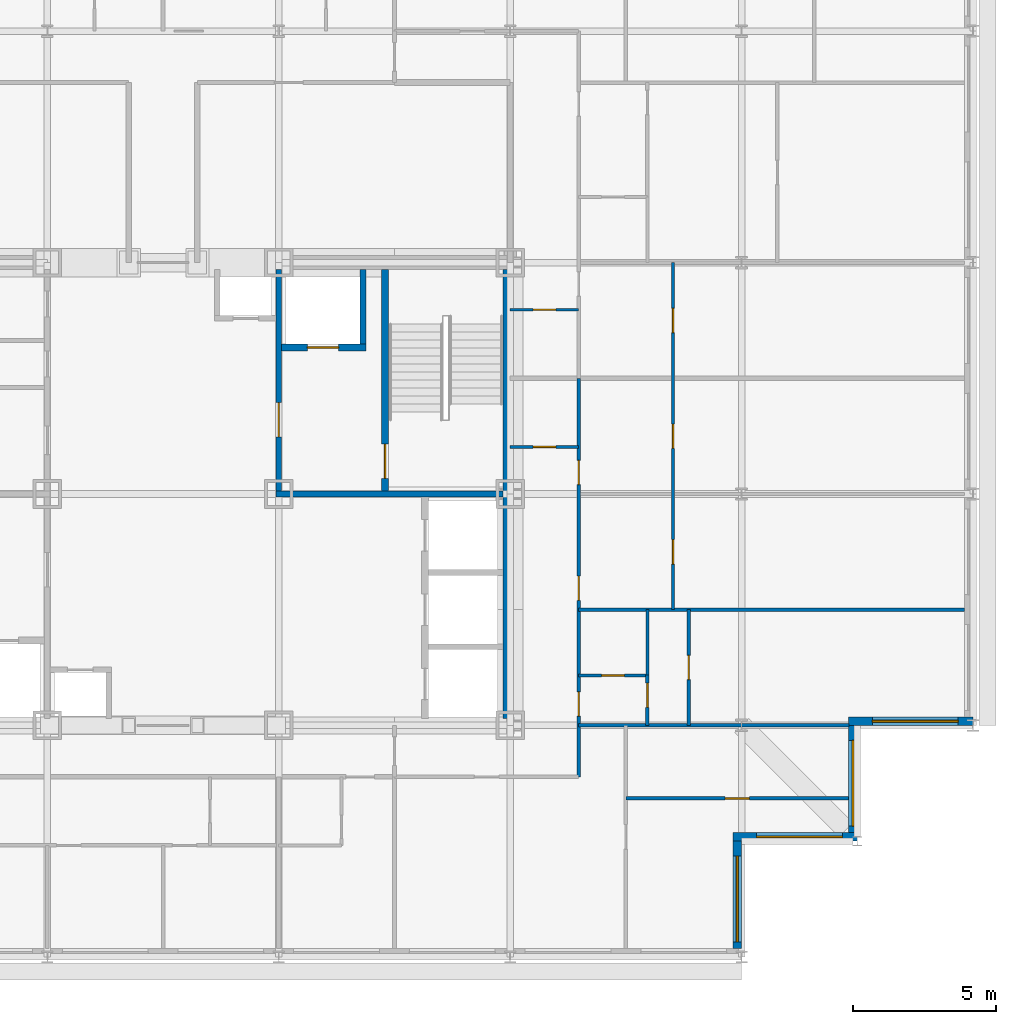
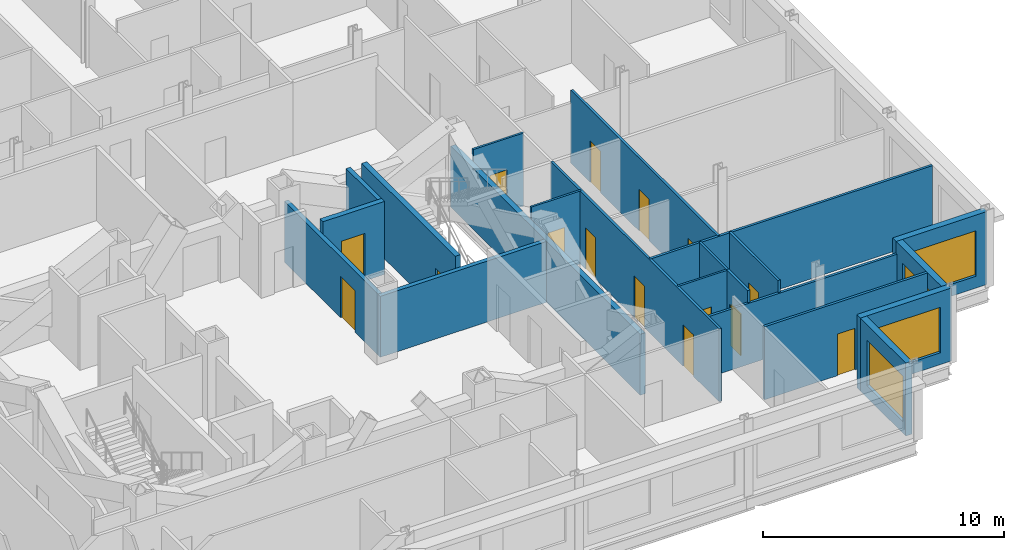
# One storey, part 10 of 15: 21 walls, 15 doors, 4 windows, 19 openings.
"""IFC4 building model written with IfcOpenShell, lengths in metres."""

from ifc_helpers import new_model, si_unit, direction, frame, frame_2d, origin, place, context, subcontext, project, spatial, rectangle, extrude, material, layer, layer_set, type_object, element, fill, save


model = new_model("IFC4")

# Units and contexts
model_context = context("Model", 3, precision=1e-05, world=origin(), true_north=direction((0.0, 1.0)))
body_context = subcontext(model_context, "Body", "Model", "MODEL_VIEW")
ifc_project = project(units=[si_unit("LENGTHUNIT", "METRE"), si_unit("AREAUNIT", "SQUARE_METRE"), si_unit("VOLUMEUNIT", "CUBIC_METRE"), si_unit("PLANEANGLEUNIT", "RADIAN"), si_unit("MASSUNIT", "GRAM", prefix="KILO")], contexts=[model_context])

# Site, building, storey
site_placement = place(None, origin())
site = spatial("IfcSite", under=ifc_project, at=site_placement, CompositionType="ELEMENT")
building_placement = place(site_placement, origin())
building = spatial("IfcBuilding", under=site, at=building_placement, Name="Kopane Lantern Tower", CompositionType="ELEMENT")
storey_placement = place(building_placement, frame((0.0, 0.0, 285.300048828125)))
storey = spatial("IfcBuildingStorey", under=building, at=storey_placement, Name="L73", CompositionType="ELEMENT", Elevation=285.300048828125)

# Wall, openings, doors
ifc_material_1 = material(Name="Gypsum board on steel studs", Category="steel")
ifc_layer_1 = layer(ifc_material_1, 0.1201171875)
ifc_layer_set_1 = layer_set([ifc_layer_1], Name="APARTMENT INTERNAL WALL 120")
wall_type_1 = type_object("IfcWallType", Name="APARTMENT INTERNAL WALL 120", PredefinedType="PARTITIONING", material=ifc_layer_set_1)
wall_1_placement = place(storey_placement, frame((42.89990234375, 22.5, 0.0), z_axis=(0.0, 0.0, 1.0), x_axis=(0.0, 1.0, 0.0)))
wall_1 = element("IfcWall", 1, at=wall_1_placement, inside=storey, type_object=wall_type_1, Name="Apartment Internal Wall 120 L73", PredefinedType="PARTITIONING", context=body_context, shape_type="SweptSolid", body=[
    extrude(rectangle(XDim=13.949951171875, YDim=0.1201171875, at=frame_2d((6.97509765625, 0.0))), origin(), (0.0, 0.0, 1.0), 3.68994140625),
])
opening_1_placement = place(wall_1_placement, frame((2.125, 0.0, 0.0)))
opening_1 = element("IfcOpeningElement", 2, at=opening_1_placement, cuts=wall_1, Name="Opening L73-042", PredefinedType="OPENING", context=body_context, shape_type="SweptSolid", body=[
    extrude(rectangle(XDim=0.85009765625, YDim=2.10009765625, at=frame_2d((0.425048828125, 1.050048828125))), frame((0.0, 0.070068359375, 0.0), z_axis=(0.0, -1.0, 0.0), x_axis=(1.0, 0.0, 0.0)), (0.0, 0.0, 1.0), 0.14013671875),
])
opening_2_placement = place(wall_1_placement, frame((6.175048828125, 0.0, 0.0)))
opening_2 = element("IfcOpeningElement", 3, at=opening_2_placement, cuts=wall_1, Name="Opening L73-043", PredefinedType="OPENING", context=body_context, shape_type="SweptSolid", body=[
    extrude(rectangle(XDim=0.85009765625, YDim=2.10009765625, at=frame_2d((0.425048828125, 1.050048828125))), frame((0.0, 0.070068359375, 0.0), z_axis=(0.0, -1.0, 0.0), x_axis=(1.0, 0.0, 0.0)), (0.0, 0.0, 1.0), 0.14013671875),
])
opening_3_placement = place(wall_1_placement, frame((10.22509765625, 0.0, 0.0)))
opening_3 = element("IfcOpeningElement", 4, at=opening_3_placement, cuts=wall_1, Name="Opening L73-044", PredefinedType="OPENING", context=body_context, shape_type="SweptSolid", body=[
    extrude(rectangle(XDim=0.85009765625, YDim=2.10009765625, at=frame_2d((0.425048828125, 1.050048828125))), frame((0.0, 0.070068359375, 0.0), z_axis=(0.0, -1.0, 0.0), x_axis=(1.0, 0.0, 0.0)), (0.0, 0.0, 1.0), 0.14013671875),
])
ifc_material_2 = material(Name="Timber door set", Category="wood")
door_type_1 = type_object("IfcDoorType", Name="DOOR D4 850x2100", OperationType="SINGLE_SWING_LEFT", PredefinedType="DOOR", material=ifc_material_2)
door_1_placement = place(opening_1_placement, origin())
door_1 = element("IfcDoor", 5, at=door_1_placement, inside=storey, type_object=door_type_1, Name="Door L73-042", OperationType="SINGLE_SWING_RIGHT", OverallHeight=2.10009765625, OverallWidth=0.85009765625, PredefinedType="DOOR", context=body_context, shape_type="SweptSolid", body=[
    extrude(rectangle(XDim=0.85009765625, YDim=2.10009765625, at=frame_2d((0.425048828125, 1.050048828125))), frame((0.0, 0.02490234375, 0.0), z_axis=(0.0, -1.0, 0.0), x_axis=(1.0, 0.0, 0.0)), (0.0, 0.0, 1.0), 0.050048828125),
])
fill(opening_1, door_1)
door_2_placement = place(opening_2_placement, origin())
door_2 = element("IfcDoor", 6, at=door_2_placement, inside=storey, type_object=door_type_1, Name="Door L73-043", OperationType="SINGLE_SWING_RIGHT", OverallHeight=2.10009765625, OverallWidth=0.85009765625, PredefinedType="DOOR", context=body_context, shape_type="SweptSolid", body=[
    extrude(rectangle(XDim=0.85009765625, YDim=2.10009765625, at=frame_2d((0.425048828125, 1.050048828125))), frame((0.0, 0.02490234375, 0.0), z_axis=(0.0, -1.0, 0.0), x_axis=(1.0, 0.0, 0.0)), (0.0, 0.0, 1.0), 0.050048828125),
])
fill(opening_2, door_2)
door_3_placement = place(opening_3_placement, origin())
door_3 = element("IfcDoor", 7, at=door_3_placement, inside=storey, type_object=door_type_1, Name="Door L73-044", OperationType="SINGLE_SWING_RIGHT", OverallHeight=2.10009765625, OverallWidth=0.85009765625, PredefinedType="DOOR", context=body_context, shape_type="SweptSolid", body=[
    extrude(rectangle(XDim=0.85009765625, YDim=2.10009765625, at=frame_2d((0.425048828125, 1.050048828125))), frame((0.0, 0.02490234375, 0.0), z_axis=(0.0, -1.0, 0.0), x_axis=(1.0, 0.0, 0.0)), (0.0, 0.0, 1.0), 0.050048828125),
])
fill(opening_3, door_3)

# Walls
wall_2_placement = place(storey_placement, frame((42.89990234375, 24.300048828125, 0.0), z_axis=(0.0, 0.0, 1.0), x_axis=(1.0, 0.0, 0.0)))
element("IfcWall", 8, at=wall_2_placement, inside=storey, type_object=wall_type_1, Name="Apartment Internal Wall 120 L73", PredefinedType="PARTITIONING", context=body_context, shape_type="SweptSolid", body=[
    extrude(rectangle(XDim=9.4501953125, YDim=0.1201171875, at=frame_2d((4.72509765625, 0.0))), origin(), (0.0, 0.0, 1.0), 3.07763671875),
])
wall_3_placement = place(storey_placement, frame((42.89990234375, 28.35009765625, 0.0), z_axis=(0.0, 0.0, 1.0), x_axis=(1.0, 0.0, 0.0)))
element("IfcWall", 9, at=wall_3_placement, inside=storey, type_object=wall_type_1, Name="Apartment Internal Wall 120 L73", PredefinedType="PARTITIONING", context=body_context, shape_type="SweptSolid", body=[
    extrude(rectangle(XDim=13.5, YDim=0.1201171875, at=frame_2d((6.75, 0.0))), origin(), (0.0, 0.0, 1.0), 3.68994140625),
])

# Wall, opening, door
wall_4_placement = place(storey_placement, frame((45.300048828125, 24.300048828125, 0.0), z_axis=(0.0, 0.0, 1.0), x_axis=(0.0, 1.0, 0.0)))
wall_4 = element("IfcWall", 10, at=wall_4_placement, inside=storey, type_object=wall_type_1, Name="Apartment Internal Wall 120 L73", PredefinedType="PARTITIONING", context=body_context, shape_type="SweptSolid", body=[
    extrude(rectangle(XDim=1.760009765625, YDim=0.1201171875, at=frame_2d((0.8798828125, 0.0))), origin(), (0.0, 0.0, 1.0), 3.68994140625),
])
opening_4_placement = place(wall_4_placement, frame((0.635009765625, 0.0, 0.0)))
opening_4 = element("IfcOpeningElement", 11, at=opening_4_placement, cuts=wall_4, Name="Opening L73-056", PredefinedType="OPENING", context=body_context, shape_type="SweptSolid", body=[
    extrude(rectangle(XDim=0.85009765625, YDim=2.10009765625, at=frame_2d((0.425048828125, 1.050048828125))), frame((0.0, 0.070068359375, 0.0), z_axis=(0.0, -1.0, 0.0), x_axis=(1.0, 0.0, 0.0)), (0.0, 0.0, 1.0), 0.14013671875),
])
door_4_placement = place(opening_4_placement, origin())
door_4 = element("IfcDoor", 12, at=door_4_placement, inside=storey, type_object=door_type_1, Name="Door L73-056", OperationType="SINGLE_SWING_RIGHT", OverallHeight=2.10009765625, OverallWidth=0.85009765625, PredefinedType="DOOR", context=body_context, shape_type="SweptSolid", body=[
    extrude(rectangle(XDim=0.85009765625, YDim=2.10009765625, at=frame_2d((0.425048828125, 1.050048828125))), frame((0.0, 0.02490234375, 0.0), z_axis=(0.0, -1.0, 0.0), x_axis=(1.0, 0.0, 0.0)), (0.0, 0.0, 1.0), 0.050048828125),
])
fill(opening_4, door_4)

wall_5_placement = place(storey_placement, frame((44.550048828125, 21.75, 0.0), z_axis=(0.0, 0.0, 1.0), x_axis=(1.0, 0.0, 0.0)))
wall_5 = element("IfcWall", 13, at=wall_5_placement, inside=storey, type_object=wall_type_1, Name="Apartment Internal Wall 120 L73", PredefinedType="PARTITIONING", context=body_context, shape_type="SweptSolid", body=[
    extrude(rectangle(XDim=7.800048828125, YDim=0.1201171875, at=frame_2d((3.89990234375, 0.0))), origin(), (0.0, 0.0, 1.0), 3.68994140625),
])
opening_5_placement = place(wall_5_placement, frame((3.47509765625, 0.0, 0.0)))
opening_5 = element("IfcOpeningElement", 14, at=opening_5_placement, cuts=wall_5, Name="Opening L73-065", PredefinedType="OPENING", context=body_context, shape_type="SweptSolid", body=[
    extrude(rectangle(XDim=0.85009765625, YDim=2.10009765625, at=frame_2d((0.425048828125, 1.050048828125))), frame((0.0, 0.070068359375, 0.0), z_axis=(0.0, -1.0, 0.0), x_axis=(1.0, 0.0, 0.0)), (0.0, 0.0, 1.0), 0.14013671875),
])
door_5_placement = place(opening_5_placement, origin())
door_5 = element("IfcDoor", 15, at=door_5_placement, inside=storey, type_object=door_type_1, Name="Door L73-065", OperationType="SINGLE_SWING_LEFT", OverallHeight=2.10009765625, OverallWidth=0.85009765625, PredefinedType="DOOR", context=body_context, shape_type="SweptSolid", body=[
    extrude(rectangle(XDim=0.85009765625, YDim=2.10009765625, at=frame_2d((0.425048828125, 1.050048828125))), frame((0.0, 0.02490234375, 0.0), z_axis=(0.0, -1.0, 0.0), x_axis=(1.0, 0.0, 0.0)), (0.0, 0.0, 1.0), 0.050048828125),
])
fill(opening_5, door_5)

wall_6_placement = place(storey_placement, frame((46.75, 24.300048828125, 0.0), z_axis=(0.0, 0.0, 1.0), x_axis=(0.0, 1.0, 0.0)))
wall_6 = element("IfcWall", 16, at=wall_6_placement, inside=storey, type_object=wall_type_1, Name="Apartment Internal Wall 120 L73", PredefinedType="PARTITIONING", context=body_context, shape_type="SweptSolid", body=[
    extrude(rectangle(XDim=4.050048828125, YDim=0.1201171875, at=frame_2d((2.02490234375, 0.0))), origin(), (0.0, 0.0, 1.0), 3.68994140625),
])
opening_6_placement = place(wall_6_placement, frame((1.60009765625, 0.0, 0.0)))
opening_6 = element("IfcOpeningElement", 17, at=opening_6_placement, cuts=wall_6, Name="Opening L73-066", PredefinedType="OPENING", context=body_context, shape_type="SweptSolid", body=[
    extrude(rectangle(XDim=0.85009765625, YDim=2.10009765625, at=frame_2d((0.425048828125, 1.050048828125))), frame((0.0, 0.070068359375, 0.0), z_axis=(0.0, -1.0, 0.0), x_axis=(1.0, 0.0, 0.0)), (0.0, 0.0, 1.0), 0.14013671875),
])
door_6_placement = place(opening_6_placement, origin())
door_6 = element("IfcDoor", 18, at=door_6_placement, inside=storey, type_object=door_type_1, Name="Door L73-066", OperationType="SINGLE_SWING_LEFT", OverallHeight=2.10009765625, OverallWidth=0.85009765625, PredefinedType="DOOR", context=body_context, shape_type="SweptSolid", body=[
    extrude(rectangle(XDim=0.85009765625, YDim=2.10009765625, at=frame_2d((0.425048828125, 1.050048828125))), frame((0.0, 0.02490234375, 0.0), z_axis=(0.0, -1.0, 0.0), x_axis=(1.0, 0.0, 0.0)), (0.0, 0.0, 1.0), 0.050048828125),
])
fill(opening_6, door_6)

# Wall, openings, doors
wall_7_placement = place(storey_placement, frame((46.199951171875, 28.35009765625, 0.0), z_axis=(0.0, 0.0, 1.0), x_axis=(0.0, 1.0, 0.0)))
wall_7 = element("IfcWall", 19, at=wall_7_placement, inside=storey, type_object=wall_type_1, Name="Apartment Internal Wall 120 L73", PredefinedType="PARTITIONING", context=body_context, shape_type="SweptSolid", body=[
    extrude(rectangle(XDim=12.14990234375, YDim=0.1201171875, at=frame_2d((6.074951171875, 0.0))), origin(), (0.0, 0.0, 1.0), 3.68994140625),
])
opening_7_placement = place(wall_7_placement, frame((1.60009765625, 0.0, 0.0)))
opening_7 = element("IfcOpeningElement", 20, at=opening_7_placement, cuts=wall_7, Name="Opening L73-067", PredefinedType="OPENING", context=body_context, shape_type="SweptSolid", body=[
    extrude(rectangle(XDim=0.85009765625, YDim=2.10009765625, at=frame_2d((0.425048828125, 1.050048828125))), frame((0.0, 0.070068359375, 0.0), z_axis=(0.0, -1.0, 0.0), x_axis=(1.0, 0.0, 0.0)), (0.0, 0.0, 1.0), 0.14013671875),
])
opening_8_placement = place(wall_7_placement, frame((5.64990234375, 0.0, 0.0)))
opening_8 = element("IfcOpeningElement", 21, at=opening_8_placement, cuts=wall_7, Name="Opening L73-068", PredefinedType="OPENING", context=body_context, shape_type="SweptSolid", body=[
    extrude(rectangle(XDim=0.85009765625, YDim=2.10009765625, at=frame_2d((0.425048828125, 1.050048828125))), frame((0.0, 0.070068359375, 0.0), z_axis=(0.0, -1.0, 0.0), x_axis=(1.0, 0.0, 0.0)), (0.0, 0.0, 1.0), 0.14013671875),
])
opening_9_placement = place(wall_7_placement, frame((9.699951171875, 0.0, 0.0)))
opening_9 = element("IfcOpeningElement", 22, at=opening_9_placement, cuts=wall_7, Name="Opening L73-072", PredefinedType="OPENING", context=body_context, shape_type="SweptSolid", body=[
    extrude(rectangle(XDim=0.85009765625, YDim=2.10009765625, at=frame_2d((0.425048828125, 1.050048828125))), frame((0.0, 0.070068359375, 0.0), z_axis=(0.0, -1.0, 0.0), x_axis=(1.0, 0.0, 0.0)), (0.0, 0.0, 1.0), 0.14013671875),
])
door_7_placement = place(opening_7_placement, origin())
door_7 = element("IfcDoor", 23, at=door_7_placement, inside=storey, type_object=door_type_1, Name="Door L73-067", OperationType="SINGLE_SWING_LEFT", OverallHeight=2.10009765625, OverallWidth=0.85009765625, PredefinedType="DOOR", context=body_context, shape_type="SweptSolid", body=[
    extrude(rectangle(XDim=0.85009765625, YDim=2.10009765625, at=frame_2d((0.425048828125, 1.050048828125))), frame((0.0, 0.02490234375, 0.0), z_axis=(0.0, -1.0, 0.0), x_axis=(1.0, 0.0, 0.0)), (0.0, 0.0, 1.0), 0.050048828125),
])
fill(opening_7, door_7)
door_8_placement = place(opening_8_placement, origin())
door_8 = element("IfcDoor", 24, at=door_8_placement, inside=storey, type_object=door_type_1, Name="Door L73-068", OperationType="SINGLE_SWING_RIGHT", OverallHeight=2.10009765625, OverallWidth=0.85009765625, PredefinedType="DOOR", context=body_context, shape_type="SweptSolid", body=[
    extrude(rectangle(XDim=0.85009765625, YDim=2.10009765625, at=frame_2d((0.425048828125, 1.050048828125))), frame((0.0, 0.02490234375, 0.0), z_axis=(0.0, -1.0, 0.0), x_axis=(1.0, 0.0, 0.0)), (0.0, 0.0, 1.0), 0.050048828125),
])
fill(opening_8, door_8)
door_9_placement = place(opening_9_placement, origin())
door_9 = element("IfcDoor", 25, at=door_9_placement, inside=storey, type_object=door_type_1, Name="Door L73-072", OperationType="SINGLE_SWING_LEFT", OverallHeight=2.10009765625, OverallWidth=0.85009765625, PredefinedType="DOOR", context=body_context, shape_type="SweptSolid", body=[
    extrude(rectangle(XDim=0.85009765625, YDim=2.10009765625, at=frame_2d((0.425048828125, 1.050048828125))), frame((0.0, 0.02490234375, 0.0), z_axis=(0.0, -1.0, 0.0), x_axis=(1.0, 0.0, 0.0)), (0.0, 0.0, 1.0), 0.050048828125),
])
fill(opening_9, door_9)

# Wall, opening, door
ifc_material_3 = material(Name="Moisture-resistant board on steel studs", Category="steel")
ifc_layer_2 = layer(ifc_material_3, 0.10009765625)
ifc_layer_set_2 = layer_set([ifc_layer_2], Name="BATHROOM WALL 100")
wall_type_2 = type_object("IfcWallType", Name="BATHROOM WALL 100", PredefinedType="PARTITIONING", material=ifc_layer_set_2)
wall_8_placement = place(storey_placement, frame((40.5, 34.050048828125, 0.0), z_axis=(0.0, 0.0, 1.0), x_axis=(1.0, 0.0, 0.0)))
wall_8 = element("IfcWall", 26, at=wall_8_placement, inside=storey, type_object=wall_type_2, Name="Bathroom Wall 100 L73", PredefinedType="PARTITIONING", context=body_context, shape_type="SweptSolid", body=[
    extrude(rectangle(XDim=2.39990234375, YDim=0.10009765625, at=frame_2d((1.199951171875, 0.0))), origin(), (0.0, 0.0, 1.0), 3.68994140625),
])
opening_10_placement = place(wall_8_placement, frame((0.800048828125, 0.0, 0.0)))
opening_10 = element("IfcOpeningElement", 27, at=opening_10_placement, cuts=wall_8, Name="Opening L73-038", PredefinedType="OPENING", context=body_context, shape_type="SweptSolid", body=[
    extrude(rectangle(XDim=0.800048828125, YDim=2.10009765625, at=frame_2d((0.39990234375, 1.050048828125))), frame((0.0, 0.06005859375, 0.0), z_axis=(0.0, -1.0, 0.0), x_axis=(1.0, 0.0, 0.0)), (0.0, 0.0, 1.0), 0.1201171875),
])
ifc_material_4 = material(Name="Timber door set", Category="wood")
door_type_2 = type_object("IfcDoorType", Name="DOOR D2 800x2100", OperationType="SINGLE_SWING_LEFT", PredefinedType="DOOR", material=ifc_material_4)
door_10_placement = place(opening_10_placement, origin())
door_10 = element("IfcDoor", 28, at=door_10_placement, inside=storey, type_object=door_type_2, Name="Door L73-038", OperationType="SINGLE_SWING_LEFT", OverallHeight=2.10009765625, OverallWidth=0.800048828125, PredefinedType="DOOR", context=body_context, shape_type="SweptSolid", body=[
    extrude(rectangle(XDim=0.800048828125, YDim=2.10009765625, at=frame_2d((0.39990234375, 1.050048828125))), frame((0.0, 0.02490234375, 0.0), z_axis=(0.0, -1.0, 0.0), x_axis=(1.0, 0.0, 0.0)), (0.0, 0.0, 1.0), 0.050048828125),
])
fill(opening_10, door_10)

wall_9_placement = place(storey_placement, frame((42.89990234375, 26.050048828125, 0.0), z_axis=(0.0, 0.0, 1.0), x_axis=(1.0, 0.0, 0.0)))
wall_9 = element("IfcWall", 29, at=wall_9_placement, inside=storey, type_object=wall_type_2, Name="Bathroom Wall 100 L73", PredefinedType="PARTITIONING", context=body_context, shape_type="SweptSolid", body=[
    extrude(rectangle(XDim=2.400146484375, YDim=0.10009765625, at=frame_2d((1.2001953125, 0.0))), origin(), (0.0, 0.0, 1.0), 3.68994140625),
])
opening_11_placement = place(wall_9_placement, frame((0.800048828125, 0.0, 0.0)))
opening_11 = element("IfcOpeningElement", 30, at=opening_11_placement, cuts=wall_9, Name="Opening L73-041", PredefinedType="OPENING", context=body_context, shape_type="SweptSolid", body=[
    extrude(rectangle(XDim=0.800048828125, YDim=2.10009765625, at=frame_2d((0.39990234375, 1.050048828125))), frame((0.0, 0.06005859375, 0.0), z_axis=(0.0, -1.0, 0.0), x_axis=(1.0, 0.0, 0.0)), (0.0, 0.0, 1.0), 0.1201171875),
])
door_11_placement = place(opening_11_placement, origin())
door_11 = element("IfcDoor", 31, at=door_11_placement, inside=storey, type_object=door_type_2, Name="Door L73-041", OperationType="SINGLE_SWING_LEFT", OverallHeight=2.10009765625, OverallWidth=0.800048828125, PredefinedType="DOOR", context=body_context, shape_type="SweptSolid", body=[
    extrude(rectangle(XDim=0.800048828125, YDim=2.10009765625, at=frame_2d((0.39990234375, 1.050048828125))), frame((0.0, 0.02490234375, 0.0), z_axis=(0.0, -1.0, 0.0), x_axis=(1.0, 0.0, 0.0)), (0.0, 0.0, 1.0), 0.050048828125),
])
fill(opening_11, door_11)

# Wall
wall_10_placement = place(storey_placement, frame((45.300048828125, 26.050048828125, 0.0), z_axis=(0.0, 0.0, 1.0), x_axis=(0.0, 1.0, 0.0)))
element("IfcWall", 32, at=wall_10_placement, inside=storey, type_object=wall_type_2, Name="Bathroom Wall 100 L73", PredefinedType="PARTITIONING", context=body_context, shape_type="SweptSolid", body=[
    extrude(rectangle(XDim=2.300048828125, YDim=0.10009765625, at=frame_2d((1.14990234375, 0.0))), origin(), (0.0, 0.0, 1.0), 3.68994140625),
])

# Wall, opening, door
wall_11_placement = place(storey_placement, frame((40.5, 38.85009765625, 0.0), z_axis=(0.0, 0.0, 1.0), x_axis=(1.0, 0.0, 0.0)))
wall_11 = element("IfcWall", 33, at=wall_11_placement, inside=storey, type_object=wall_type_2, Name="Bathroom Wall 100 L73", PredefinedType="PARTITIONING", context=body_context, shape_type="SweptSolid", body=[
    extrude(rectangle(XDim=2.39990234375, YDim=0.10009765625, at=frame_2d((1.199951171875, 0.0))), origin(), (0.0, 0.0, 1.0), 3.68994140625),
])
opening_12_placement = place(wall_11_placement, frame((0.800048828125, 0.0, 0.0)))
opening_12 = element("IfcOpeningElement", 34, at=opening_12_placement, cuts=wall_11, Name="Opening L73-046", PredefinedType="OPENING", context=body_context, shape_type="SweptSolid", body=[
    extrude(rectangle(XDim=0.800048828125, YDim=2.10009765625, at=frame_2d((0.39990234375, 1.050048828125))), frame((0.0, 0.06005859375, 0.0), z_axis=(0.0, -1.0, 0.0), x_axis=(1.0, 0.0, 0.0)), (0.0, 0.0, 1.0), 0.1201171875),
])
door_12_placement = place(opening_12_placement, origin())
door_12 = element("IfcDoor", 35, at=door_12_placement, inside=storey, type_object=door_type_2, Name="Door L73-046", OperationType="SINGLE_SWING_RIGHT", OverallHeight=2.10009765625, OverallWidth=0.800048828125, PredefinedType="DOOR", context=body_context, shape_type="SweptSolid", body=[
    extrude(rectangle(XDim=0.800048828125, YDim=2.10009765625, at=frame_2d((0.39990234375, 1.050048828125))), frame((0.0, 0.02490234375, 0.0), z_axis=(0.0, -1.0, 0.0), x_axis=(1.0, 0.0, 0.0)), (0.0, 0.0, 1.0), 0.050048828125),
])
fill(opening_12, door_12)

# Wall
ifc_material_5 = material(Name="Gypsum shaft wall EI 120", Category="gypsum")
ifc_layer_3 = layer(ifc_material_5, 0.25)
ifc_layer_set_3 = layer_set([ifc_layer_3], Name="CORE SHAFT WALL 250 EI 120")
wall_type_3 = type_object("IfcWallType", Name="CORE SHAFT WALL 250 EI 120", PredefinedType="SOLIDWALL", material=ifc_layer_set_3)
wall_12_placement = place(storey_placement, frame((40.375, 24.550048828125, 0.0), z_axis=(0.0, 0.0, 1.0), x_axis=(0.0, 1.0, 0.0)))
element("IfcWall", 36, at=wall_12_placement, inside=storey, type_object=wall_type_3, Name="Core shaft wall L73 PE", PredefinedType="SOLIDWALL", context=body_context, shape_type="SweptSolid", body=[
    extrude(rectangle(XDim=15.699951171875, YDim=0.25, at=frame_2d((7.85009765625, 0.0))), origin(), (0.0, 0.0, 1.0), 3.07763671875),
])

# Wall, opening, door
wall_13_placement = place(storey_placement, frame((36.125, 32.5, 0.0), z_axis=(0.0, 0.0, 1.0), x_axis=(0.0, 1.0, 0.0)))
wall_13 = element("IfcWall", 37, at=wall_13_placement, inside=storey, type_object=wall_type_3, Name="Core shaft wall L73 XST2", PredefinedType="SOLIDWALL", context=body_context, shape_type="SweptSolid", body=[
    extrude(rectangle(XDim=7.75, YDim=0.25, at=frame_2d((3.875, 0.0))), origin(), (0.0, 0.0, 1.0), 3.68994140625),
])
opening_13_placement = place(wall_13_placement, frame((0.449951171875, 0.0, 0.0)))
opening_13 = element("IfcOpeningElement", 38, at=opening_13_placement, cuts=wall_13, Name="Opening 73.SD2", PredefinedType="OPENING", context=body_context, shape_type="SweptSolid", body=[
    extrude(rectangle(XDim=1.199951171875, YDim=2.10009765625, at=frame_2d((0.60009765625, 1.050048828125))), frame((0.0, 0.135009765625, 0.0), z_axis=(0.0, -1.0, 0.0), x_axis=(1.0, 0.0, 0.0)), (0.0, 0.0, 1.0), 0.27001953125),
])
ifc_material_6 = material(Name="Steel door set", Category="steel")
door_type_3 = type_object("IfcDoorType", Name="STAIR DOOR 1200x2100 FD60S", OperationType="SINGLE_SWING_LEFT", PredefinedType="DOOR", material=ifc_material_6)
door_13_placement = place(opening_13_placement, origin())
door_13 = element("IfcDoor", 39, at=door_13_placement, inside=storey, type_object=door_type_3, Name="Stair door ST2 L73", OperationType="SINGLE_SWING_RIGHT", OverallHeight=2.10009765625, OverallWidth=1.199951171875, PredefinedType="DOOR", context=body_context, shape_type="SweptSolid", body=[
    extrude(rectangle(XDim=1.199951171875, YDim=2.10009765625, at=frame_2d((0.60009765625, 1.050048828125))), frame((0.0, 0.02490234375, 0.0), z_axis=(0.0, -1.0, 0.0), x_axis=(1.0, 0.0, 0.0)), (0.0, 0.0, 1.0), 0.050048828125),
])
fill(opening_13, door_13)

wall_14_placement = place(storey_placement, frame((32.5, 37.52490234375, 0.0), z_axis=(0.0, 0.0, 1.0), x_axis=(1.0, 0.0, 0.0)))
wall_14 = element("IfcWall", 40, at=wall_14_placement, inside=storey, type_object=wall_type_3, Name="Core shaft wall L73 YLF2", PredefinedType="SOLIDWALL", context=body_context, shape_type="SweptSolid", body=[
    extrude(rectangle(XDim=2.949951171875, YDim=0.25, at=frame_2d((1.47509765625, 0.0))), origin(), (0.0, 0.0, 1.0), 3.68994140625),
])
opening_14_placement = place(wall_14_placement, frame((0.89990234375, 0.0, 0.0)))
opening_14 = element("IfcOpeningElement", 41, at=opening_14_placement, cuts=wall_14, Name="Opening 73.LD-LF2", PredefinedType="OPENING", context=body_context, shape_type="SweptSolid", body=[
    extrude(rectangle(XDim=1.10009765625, YDim=2.39990234375, at=frame_2d((0.550048828125, 1.199951171875))), frame((0.0, 0.135009765625, 0.0), z_axis=(0.0, -1.0, 0.0), x_axis=(1.0, 0.0, 0.0)), (0.0, 0.0, 1.0), 0.27001953125),
])
ifc_material_7 = material(Name="Steel door set", Category="steel")
door_type_4 = type_object("IfcDoorType", Name="LIFT LANDING DOOR 1100x2400 FD60", OperationType="DOUBLE_DOOR_SLIDING", PredefinedType="DOOR", material=ifc_material_7)
door_14_placement = place(opening_14_placement, origin())
door_14 = element("IfcDoor", 42, at=door_14_placement, inside=storey, type_object=door_type_4, Name="Landing door LF2 L73", OperationType="DOUBLE_DOOR_SLIDING", OverallHeight=2.39990234375, OverallWidth=1.10009765625, PredefinedType="DOOR", context=body_context, shape_type="SweptSolid", body=[
    extrude(rectangle(XDim=1.10009765625, YDim=2.39990234375, at=frame_2d((0.550048828125, 1.199951171875))), frame((0.0, 0.02490234375, 0.0), z_axis=(0.0, -1.0, 0.0), x_axis=(1.0, 0.0, 0.0)), (0.0, 0.0, 1.0), 0.050048828125),
])
fill(opening_14, door_14)

# Wall, opening, window
ifc_material_8 = material(Name="Terracotta rainscreen on light steel framing", Category="masonry")
ifc_layer_4 = layer(ifc_material_8, 0.300048828125)
ifc_layer_set_4 = layer_set([ifc_layer_4], Name="EXTERNAL WALL EW1 300 TERRACOTTA")
wall_type_4 = type_object("IfcWallType", Name="EXTERNAL WALL EW1 300 TERRACOTTA", PredefinedType="SOLIDWALL", material=ifc_layer_set_4)
wall_15_placement = place(storey_placement, frame((48.449951171875, 16.5, 0.0), z_axis=(0.0, 0.0, 1.0), x_axis=(0.0, 1.0, 0.0)))
wall_15 = element("IfcWall", 43, at=wall_15_placement, inside=storey, type_object=wall_type_4, Name="External wall E L73", PredefinedType="SOLIDWALL", context=body_context, shape_type="SweptSolid", body=[
    extrude(rectangle(XDim=3.75, YDim=0.300048828125, at=frame_2d((1.875, 0.0))), origin(), (0.0, 0.0, 1.0), 3.68994140625),
])
opening_15_placement = place(wall_15_placement, frame((0.22509765625, 0.0, 0.60009765625)))
opening_15 = element("IfcOpeningElement", 44, at=opening_15_placement, cuts=wall_15, Name="Opening WR300230", PredefinedType="OPENING", context=body_context, shape_type="SweptSolid", body=[
    extrude(rectangle(XDim=3.0, YDim=2.300048828125, at=frame_2d((1.5, 1.14990234375))), frame((0.0, 0.159912109375, 0.0), z_axis=(0.0, -1.0, 0.0), x_axis=(1.0, 0.0, 0.0)), (0.0, 0.0, 1.0), 0.320068359375),
])
ifc_material_9 = material(Name="Aluminium and clear glass", Category="aluminium")
window_type = type_object("IfcWindowType", Name="RIBBON WINDOW WR300230 3000x2300", PartitioningType="SINGLE_PANEL", PredefinedType="WINDOW", material=ifc_material_9)
window_1_placement = place(opening_15_placement, origin())
window_1 = element("IfcWindow", 45, at=window_1_placement, inside=storey, type_object=window_type, Name="Window E L73", OverallHeight=2.300048828125, OverallWidth=3.0, PartitioningType="SINGLE_PANEL", PredefinedType="WINDOW", context=body_context, shape_type="SweptSolid", body=[
    extrude(rectangle(XDim=3.0, YDim=2.300048828125, at=frame_2d((1.5, 1.14990234375))), frame((0.0, 0.030029296875, 0.0), z_axis=(0.0, -1.0, 0.0), x_axis=(1.0, 0.0, 0.0)), (0.0, 0.0, 1.0), 0.06005859375),
])
fill(opening_15, window_1)

wall_16_placement = place(storey_placement, frame((48.300048828125, 20.39990234375, 0.0), z_axis=(0.0, 0.0, 1.0), x_axis=(1.0, 0.0, 0.0)))
wall_16 = element("IfcWall", 46, at=wall_16_placement, inside=storey, type_object=wall_type_4, Name="External wall S L73", PredefinedType="SOLIDWALL", context=body_context, shape_type="SweptSolid", body=[
    extrude(rectangle(XDim=4.349853515625, YDim=0.300048828125, at=frame_2d((2.1748046875, 0.0))), origin(), (0.0, 0.0, 1.0), 3.68994140625),
])
opening_16_placement = place(wall_16_placement, frame((0.824951171875, 0.0, 0.60009765625)))
opening_16 = element("IfcOpeningElement", 47, at=opening_16_placement, cuts=wall_16, Name="Opening WR300230", PredefinedType="OPENING", context=body_context, shape_type="SweptSolid", body=[
    extrude(rectangle(XDim=3.0, YDim=2.300048828125, at=frame_2d((1.5, 1.14990234375))), frame((0.0, 0.159912109375, 0.0), z_axis=(0.0, -1.0, 0.0), x_axis=(1.0, 0.0, 0.0)), (0.0, 0.0, 1.0), 0.320068359375),
])
window_2_placement = place(opening_16_placement, origin())
window_2 = element("IfcWindow", 48, at=window_2_placement, inside=storey, type_object=window_type, Name="Window S L73", OverallHeight=2.300048828125, OverallWidth=3.0, PartitioningType="SINGLE_PANEL", PredefinedType="WINDOW", context=body_context, shape_type="SweptSolid", body=[
    extrude(rectangle(XDim=3.0, YDim=2.300048828125, at=frame_2d((1.5, 1.14990234375))), frame((0.0, 0.030029296875, 0.0), z_axis=(0.0, -1.0, 0.0), x_axis=(1.0, 0.0, 0.0)), (0.0, 0.0, 1.0), 0.06005859375),
])
fill(opening_16, window_2)

wall_17_placement = place(storey_placement, frame((52.5, 20.550048828125, 0.0), z_axis=(0.0, 0.0, 1.0), x_axis=(0.0, 1.0, 0.0)))
wall_17 = element("IfcWall", 49, at=wall_17_placement, inside=storey, type_object=wall_type_4, Name="External wall E L73", PredefinedType="SOLIDWALL", context=body_context, shape_type="SweptSolid", body=[
    extrude(rectangle(XDim=3.75, YDim=0.300048828125, at=frame_2d((1.875, 0.0))), origin(), (0.0, 0.0, 1.0), 3.68994140625),
])
opening_17_placement = place(wall_17_placement, frame((0.22509765625, 0.0, 0.60009765625)))
opening_17 = element("IfcOpeningElement", 50, at=opening_17_placement, cuts=wall_17, Name="Opening WR300230", PredefinedType="OPENING", context=body_context, shape_type="SweptSolid", body=[
    extrude(rectangle(XDim=3.0, YDim=2.300048828125, at=frame_2d((1.5, 1.14990234375))), frame((0.0, 0.159912109375, 0.0), z_axis=(0.0, -1.0, 0.0), x_axis=(1.0, 0.0, 0.0)), (0.0, 0.0, 1.0), 0.320068359375),
])
window_3_placement = place(opening_17_placement, origin())
window_3 = element("IfcWindow", 51, at=window_3_placement, inside=storey, type_object=window_type, Name="Window E L73", OverallHeight=2.300048828125, OverallWidth=3.0, PartitioningType="SINGLE_PANEL", PredefinedType="WINDOW", context=body_context, shape_type="SweptSolid", body=[
    extrude(rectangle(XDim=3.0, YDim=2.300048828125, at=frame_2d((1.5, 1.14990234375))), frame((0.0, 0.030029296875, 0.0), z_axis=(0.0, -1.0, 0.0), x_axis=(1.0, 0.0, 0.0)), (0.0, 0.0, 1.0), 0.06005859375),
])
fill(opening_17, window_3)

wall_18_placement = place(storey_placement, frame((52.35009765625, 24.449951171875, 0.0), z_axis=(0.0, 0.0, 1.0), x_axis=(1.0, 0.0, 0.0)))
wall_18 = element("IfcWall", 52, at=wall_18_placement, inside=storey, type_object=wall_type_4, Name="External wall S L73", PredefinedType="SOLIDWALL", context=body_context, shape_type="SweptSolid", body=[
    extrude(rectangle(XDim=4.349853515625, YDim=0.300048828125, at=frame_2d((2.1748046875, 0.0))), origin(), (0.0, 0.0, 1.0), 3.68994140625),
])
opening_18_placement = place(wall_18_placement, frame((0.824951171875, 0.0, 0.60009765625)))
opening_18 = element("IfcOpeningElement", 53, at=opening_18_placement, cuts=wall_18, Name="Opening WR300230", PredefinedType="OPENING", context=body_context, shape_type="SweptSolid", body=[
    extrude(rectangle(XDim=3.0, YDim=2.300048828125, at=frame_2d((1.5, 1.14990234375))), frame((0.0, 0.159912109375, 0.0), z_axis=(0.0, -1.0, 0.0), x_axis=(1.0, 0.0, 0.0)), (0.0, 0.0, 1.0), 0.320068359375),
])
window_4_placement = place(opening_18_placement, origin())
window_4 = element("IfcWindow", 54, at=window_4_placement, inside=storey, type_object=window_type, Name="Window S L73", OverallHeight=2.300048828125, OverallWidth=3.0, PartitioningType="SINGLE_PANEL", PredefinedType="WINDOW", context=body_context, shape_type="SweptSolid", body=[
    extrude(rectangle(XDim=3.0, YDim=2.300048828125, at=frame_2d((1.5, 1.14990234375))), frame((0.0, 0.030029296875, 0.0), z_axis=(0.0, -1.0, 0.0), x_axis=(1.0, 0.0, 0.0)), (0.0, 0.0, 1.0), 0.06005859375),
])
fill(opening_18, window_4)

# Wall
ifc_material_10 = material(Name="Gypsum shaft wall EI 120", Category="gypsum")
ifc_layer_5 = layer(ifc_material_10, 0.199951171875)
ifc_layer_set_5 = layer_set([ifc_layer_5], Name="SHAFT WALL 200 EI 120")
wall_type_5 = type_object("IfcWallType", Name="SHAFT WALL 200 EI 120", PredefinedType="SOLIDWALL", material=ifc_layer_set_5)
wall_19_placement = place(storey_placement, frame((32.300048828125, 32.39990234375, 0.0), z_axis=(0.0, 0.0, 1.0), x_axis=(1.0, 0.0, 0.0)))
element("IfcWall", 55, at=wall_19_placement, inside=storey, type_object=wall_type_5, Name="Core shaft wall L73 Y324E", PredefinedType="SOLIDWALL", context=body_context, shape_type="SweptSolid", body=[
    extrude(rectangle(XDim=7.949951171875, YDim=0.199951171875, at=frame_2d((3.97509765625, 0.0))), origin(), (0.0, 0.0, 1.0), 3.07763671875),
])

# Wall, opening, door
wall_20_placement = place(storey_placement, frame((32.39990234375, 32.5, 0.0), z_axis=(0.0, 0.0, 1.0), x_axis=(0.0, 1.0, 0.0)))
wall_20 = element("IfcWall", 56, at=wall_20_placement, inside=storey, type_object=wall_type_5, Name="Core shaft wall L73 X324", PredefinedType="SOLIDWALL", context=body_context, shape_type="SweptSolid", body=[
    extrude(rectangle(XDim=7.75, YDim=0.199951171875, at=frame_2d((3.875, 0.0))), origin(), (0.0, 0.0, 1.0), 3.07763671875),
])
opening_19_placement = place(wall_20_placement, frame((1.89990234375, 0.0, 0.0)))
opening_19 = element("IfcOpeningElement", 57, at=opening_19_placement, cuts=wall_20, Name="Opening 73.FL2", PredefinedType="OPENING", context=body_context, shape_type="SweptSolid", body=[
    extrude(rectangle(XDim=1.199951171875, YDim=2.10009765625, at=frame_2d((0.60009765625, 1.050048828125))), frame((0.0, 0.10986328125, 0.0), z_axis=(0.0, -1.0, 0.0), x_axis=(1.0, 0.0, 0.0)), (0.0, 0.0, 1.0), 0.219970703125),
])
ifc_material_11 = material(Name="Steel door set", Category="steel")
door_type_5 = type_object("IfcDoorType", Name="FIREFIGHTING LOBBY DOOR 1200x2100 FD60S", OperationType="SINGLE_SWING_RIGHT", PredefinedType="DOOR", material=ifc_material_11)
door_15_placement = place(opening_19_placement, origin())
door_15 = element("IfcDoor", 58, at=door_15_placement, inside=storey, type_object=door_type_5, Name="Firefighting lobby door FL2 L73", OperationType="SINGLE_SWING_LEFT", OverallHeight=2.10009765625, OverallWidth=1.199951171875, PredefinedType="DOOR", context=body_context, shape_type="SweptSolid", body=[
    extrude(rectangle(XDim=1.199951171875, YDim=2.10009765625, at=frame_2d((0.60009765625, 1.050048828125))), frame((0.0, 0.02490234375, 0.0), z_axis=(0.0, -1.0, 0.0), x_axis=(1.0, 0.0, 0.0)), (0.0, 0.0, 1.0), 0.050048828125),
])
fill(opening_19, door_15)

# Wall
wall_21_placement = place(storey_placement, frame((35.35009765625, 37.64990234375, 0.0), z_axis=(0.0, 0.0, 1.0), x_axis=(0.0, 1.0, 0.0)))
element("IfcWall", 59, at=wall_21_placement, inside=storey, type_object=wall_type_5, Name="Core shaft wall L73 XLF2", PredefinedType="SOLIDWALL", context=body_context, shape_type="SweptSolid", body=[
    extrude(rectangle(XDim=2.60009765625, YDim=0.199951171875, at=frame_2d((1.300048828125, 0.0))), origin(), (0.0, 0.0, 1.0), 3.68994140625),
])

save(model, "model.ifc")
